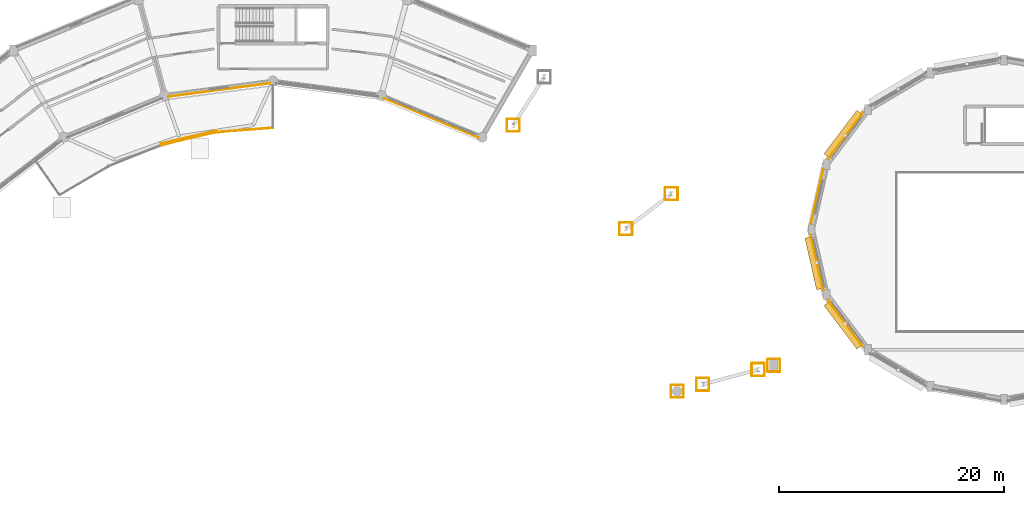
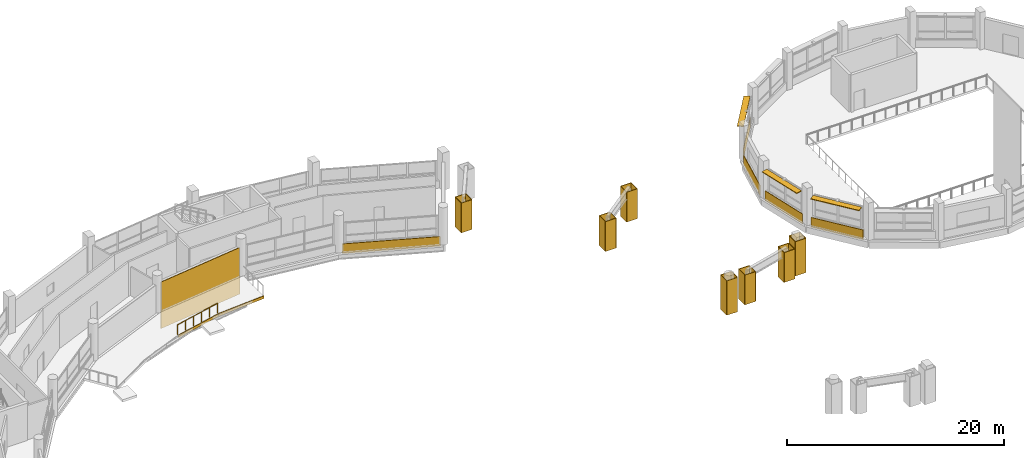
# One storey, part 125 of 128: 36 coverings, 3 shading devices, 1 railing.
"""IFC4 building model written with IfcOpenShell, lengths in metres."""

from ifc_helpers import new_model, si_unit, direction, frame, frame_2d, origin, origin_2d, place, context, subcontext, project, spatial, rectangle, circle, extrude, material, layer, layer_set, type_object, element, save


model = new_model("IFC4")

# Units and contexts
model_context = context("Model", 3, precision=1e-05, world=origin(), true_north=direction((0.0, 1.0)))
body_context = subcontext(model_context, "Body", "Model", "MODEL_VIEW")
ifc_project = project(units=[si_unit("LENGTHUNIT", "METRE"), si_unit("AREAUNIT", "SQUARE_METRE"), si_unit("VOLUMEUNIT", "CUBIC_METRE"), si_unit("PLANEANGLEUNIT", "RADIAN"), si_unit("MASSUNIT", "GRAM", prefix="KILO")], contexts=[model_context])

# Site, building, storey
site_placement = place(None, origin())
site = spatial("IfcSite", under=ifc_project, at=site_placement, CompositionType="ELEMENT")
building_placement = place(site_placement, origin())
building = spatial("IfcBuilding", under=site, at=building_placement, Name="Vespera Passage Community Centre", CompositionType="ELEMENT")
storey_placement = place(building_placement, frame((0.0, 0.0, 4.5)))
storey = spatial("IfcBuildingStorey", under=building, at=storey_placement, Name="L01", CompositionType="ELEMENT", Elevation=4.5)

# Coverings
ifc_material_1 = material(Name="Precast concrete f'c 40 MPa", Category="concrete")
ifc_layer = layer(ifc_material_1, 0.06005859375)
ifc_layer_set = layer_set([ifc_layer], Name="Precast concrete f'c 40 MPa")
covering_type = type_object("IfcCoveringType", Name="COV-CLAD-60E", PredefinedType="CLADDING", material=ifc_layer_set)
covering_1_placement = place(storey_placement, frame((121.96923828125, 76.87158203125, 0.0), z_axis=(0.0, 0.0, 1.0), x_axis=(1.0, 0.0, 0.0)))
element("IfcCovering", 1, at=covering_1_placement, inside=storey, type_object=covering_type, Name="Pylon 1.0 O L01 White Architectural Casing 1", PredefinedType="CLADDING", context=body_context, shape_type="SweptSolid", body=[
    extrude(rectangle(XDim=1.119873046875, YDim=0.06005859375, at=frame_2d((0.56005859375, 0.0))), origin(), (0.0, 0.0, 1.0), 3.860107421875),
])
covering_2_placement = place(storey_placement, frame((123.089111328125, 76.87158203125, 0.0), z_axis=(0.0, 0.0, 1.0), x_axis=(0.0, 1.0, 0.0)))
element("IfcCovering", 2, at=covering_2_placement, inside=storey, type_object=covering_type, Name="Pylon 1.0 O L01 White Architectural Casing 2", PredefinedType="CLADDING", context=body_context, shape_type="SweptSolid", body=[
    extrude(rectangle(XDim=1.1201171875, YDim=0.06005859375, at=frame_2d((0.56005859375, 0.0))), origin(), (0.0, 0.0, 1.0), 3.860107421875),
])
covering_3_placement = place(storey_placement, frame((123.089111328125, 77.99169921875, 0.0), z_axis=(0.0, 0.0, 1.0), x_axis=(-1.0, 0.0, 0.0)))
element("IfcCovering", 3, at=covering_3_placement, inside=storey, type_object=covering_type, Name="Pylon 1.0 O L01 White Architectural Casing 3", PredefinedType="CLADDING", context=body_context, shape_type="SweptSolid", body=[
    extrude(rectangle(XDim=1.119873046875, YDim=0.06005859375, at=frame_2d((0.56005859375, 0.0))), origin(), (0.0, 0.0, 1.0), 3.860107421875),
])
for number, where, z_axis, x_axis, name in (
    (4, (121.96923828125, 77.99169921875, 0.0), (0.0, 0.0, 1.0), (0.0, -1.0, 0.0), "Pylon 1.0 O L01 White Architectural Casing 4"),
    (5, (113.372314453125, 74.568115234375, 0.0), (0.0, 0.0, 1.0), (1.0, 0.0, 0.0), "Pylon 1.0 I L01 White Architectural Casing 1"),
):
    element("IfcCovering", number, at=place(storey_placement, frame(where, z_axis=z_axis, x_axis=x_axis)), inside=storey, type_object=covering_type, Name=name, PredefinedType="CLADDING", context=body_context, shape_type="SweptSolid", body=[
        extrude(rectangle(XDim=1.1201171875, YDim=0.06005859375, at=frame_2d((0.56005859375, 0.0))), origin(), (0.0, 0.0, 1.0), 3.860107421875),
    ])
covering_4_placement = place(storey_placement, frame((114.492431640625, 74.568115234375, 0.0), z_axis=(0.0, 0.0, 1.0), x_axis=(0.0, 1.0, 0.0)))
element("IfcCovering", 6, at=covering_4_placement, inside=storey, type_object=covering_type, Name="Pylon 1.0 I L01 White Architectural Casing 2", PredefinedType="CLADDING", context=body_context, shape_type="SweptSolid", body=[
    extrude(rectangle(XDim=1.119873046875, YDim=0.06005859375, at=frame_2d((0.56005859375, 0.0))), origin(), (0.0, 0.0, 1.0), 3.860107421875),
])
covering_5_placement = place(storey_placement, frame((114.492431640625, 75.68798828125, 0.0), z_axis=(0.0, 0.0, 1.0), x_axis=(-1.0, 0.0, 0.0)))
element("IfcCovering", 7, at=covering_5_placement, inside=storey, type_object=covering_type, Name="Pylon 1.0 I L01 White Architectural Casing 3", PredefinedType="CLADDING", context=body_context, shape_type="SweptSolid", body=[
    extrude(rectangle(XDim=1.1201171875, YDim=0.06005859375, at=frame_2d((0.56005859375, 0.0))), origin(), (0.0, 0.0, 1.0), 3.860107421875),
])
covering_6_placement = place(storey_placement, frame((113.372314453125, 75.68798828125, 0.0), z_axis=(0.0, 0.0, 1.0), x_axis=(0.0, -1.0, 0.0)))
element("IfcCovering", 8, at=covering_6_placement, inside=storey, type_object=covering_type, Name="Pylon 1.0 I L01 White Architectural Casing 4", PredefinedType="CLADDING", context=body_context, shape_type="SweptSolid", body=[
    extrude(rectangle(XDim=1.119873046875, YDim=0.06005859375, at=frame_2d((0.56005859375, 0.0))), origin(), (0.0, 0.0, 1.0), 3.860107421875),
])
covering_7_placement = place(storey_placement, frame((120.568603515625, 76.496337890625, 0.0), z_axis=(0.0, 0.0, 1.0), x_axis=(1.0, 0.0, 0.0)))
element("IfcCovering", 9, at=covering_7_placement, inside=storey, type_object=covering_type, Name="Pylon 1.0 TO L01 White Architectural Casing 1", PredefinedType="CLADDING", context=body_context, shape_type="SweptSolid", body=[
    extrude(rectangle(XDim=1.1201171875, YDim=0.06005859375, at=frame_2d((0.56005859375, 0.0))), origin(), (0.0, 0.0, 1.0), 3.35009765625),
])
covering_8_placement = place(storey_placement, frame((121.688720703125, 76.496337890625, 0.0), z_axis=(0.0, 0.0, 1.0), x_axis=(0.0, 1.0, 0.0)))
element("IfcCovering", 10, at=covering_8_placement, inside=storey, type_object=covering_type, Name="Pylon 1.0 TO L01 White Architectural Casing 2", PredefinedType="CLADDING", context=body_context, shape_type="SweptSolid", body=[
    extrude(rectangle(XDim=1.119873046875, YDim=0.06005859375, at=frame_2d((0.56005859375, 0.0))), origin(), (0.0, 0.0, 1.0), 3.35009765625),
])
covering_9_placement = place(storey_placement, frame((121.688720703125, 77.6162109375, 0.0), z_axis=(0.0, 0.0, 1.0), x_axis=(-1.0, 0.0, 0.0)))
element("IfcCovering", 11, at=covering_9_placement, inside=storey, type_object=covering_type, Name="Pylon 1.0 TO L01 White Architectural Casing 3", PredefinedType="CLADDING", context=body_context, shape_type="SweptSolid", body=[
    extrude(rectangle(XDim=1.1201171875, YDim=0.06005859375, at=frame_2d((0.56005859375, 0.0))), origin(), (0.0, 0.0, 1.0), 3.35009765625),
])
covering_10_placement = place(storey_placement, frame((120.568603515625, 77.6162109375, 0.0), z_axis=(0.0, 0.0, 1.0), x_axis=(0.0, -1.0, 0.0)))
element("IfcCovering", 12, at=covering_10_placement, inside=storey, type_object=covering_type, Name="Pylon 1.0 TO L01 White Architectural Casing 4", PredefinedType="CLADDING", context=body_context, shape_type="SweptSolid", body=[
    extrude(rectangle(XDim=1.119873046875, YDim=0.06005859375, at=frame_2d((0.56005859375, 0.0))), origin(), (0.0, 0.0, 1.0), 3.35009765625),
])
for number, where, z_axis, x_axis, name in (
    (13, (115.642333984375, 75.17626953125, 0.0), (0.0, 0.0, 1.0), (1.0, 0.0, 0.0), "Pylon 1.0 TI L01 White Architectural Casing 1"),
    (14, (116.762451171875, 75.17626953125, 0.0), (0.0, 0.0, 1.0), (0.0, 1.0, 0.0), "Pylon 1.0 TI L01 White Architectural Casing 2"),
    (15, (116.762451171875, 76.29638671875, 0.0), (0.0, 0.0, 1.0), (-1.0, 0.0, 0.0), "Pylon 1.0 TI L01 White Architectural Casing 3"),
    (16, (115.642333984375, 76.29638671875, 0.0), (0.0, 0.0, 1.0), (0.0, -1.0, 0.0), "Pylon 1.0 TI L01 White Architectural Casing 4"),
):
    element("IfcCovering", number, at=place(storey_placement, frame(where, z_axis=z_axis, x_axis=x_axis)), inside=storey, type_object=covering_type, Name=name, PredefinedType="CLADDING", context=body_context, shape_type="SweptSolid", body=[
        extrude(rectangle(XDim=1.1201171875, YDim=0.06005859375, at=frame_2d((0.56005859375, 0.0))), origin(), (0.0, 0.0, 1.0), 3.35009765625),
    ])
covering_11_placement = place(storey_placement, frame((112.86328125, 92.12109375, 0.0), z_axis=(0.0, 0.0, 1.0), x_axis=(1.0, 0.0, 0.0)))
element("IfcCovering", 17, at=covering_11_placement, inside=storey, type_object=covering_type, Name="Pylon 2.5 TO L01 White Architectural Casing 1", PredefinedType="CLADDING", context=body_context, shape_type="SweptSolid", body=[
    extrude(rectangle(XDim=1.119873046875, YDim=0.06005859375, at=frame_2d((0.56005859375, 0.0))), origin(), (0.0, 0.0, 1.0), 3.35009765625),
])
covering_12_placement = place(storey_placement, frame((113.983154296875, 92.12109375, 0.0), z_axis=(0.0, 0.0, 1.0), x_axis=(0.0, 1.0, 0.0)))
element("IfcCovering", 18, at=covering_12_placement, inside=storey, type_object=covering_type, Name="Pylon 2.5 TO L01 White Architectural Casing 2", PredefinedType="CLADDING", context=body_context, shape_type="SweptSolid", body=[
    extrude(rectangle(XDim=1.1201171875, YDim=0.06005859375, at=frame_2d((0.56005859375, 0.0))), origin(), (0.0, 0.0, 1.0), 3.35009765625),
])
covering_13_placement = place(storey_placement, frame((113.983154296875, 93.2412109375, 0.0), z_axis=(0.0, 0.0, 1.0), x_axis=(-1.0, 0.0, 0.0)))
element("IfcCovering", 19, at=covering_13_placement, inside=storey, type_object=covering_type, Name="Pylon 2.5 TO L01 White Architectural Casing 3", PredefinedType="CLADDING", context=body_context, shape_type="SweptSolid", body=[
    extrude(rectangle(XDim=1.119873046875, YDim=0.06005859375, at=frame_2d((0.56005859375, 0.0))), origin(), (0.0, 0.0, 1.0), 3.35009765625),
])
covering_14_placement = place(storey_placement, frame((112.86328125, 93.2412109375, 0.0), z_axis=(0.0, 0.0, 1.0), x_axis=(0.0, -1.0, 0.0)))
element("IfcCovering", 20, at=covering_14_placement, inside=storey, type_object=covering_type, Name="Pylon 2.5 TO L01 White Architectural Casing 4", PredefinedType="CLADDING", context=body_context, shape_type="SweptSolid", body=[
    extrude(rectangle(XDim=1.1201171875, YDim=0.06005859375, at=frame_2d((0.56005859375, 0.0))), origin(), (0.0, 0.0, 1.0), 3.35009765625),
])
for number, where, z_axis, x_axis, name in (
    (21, (108.817138671875, 89.0166015625, 0.0), (0.0, 0.0, 1.0), (1.0, 0.0, 0.0), "Pylon 2.5 TI L01 White Architectural Casing 1"),
    (22, (109.93701171875, 89.0166015625, 0.0), (0.0, 0.0, 1.0), (0.0, 1.0, 0.0), "Pylon 2.5 TI L01 White Architectural Casing 2"),
    (23, (109.93701171875, 90.136474609375, 0.0), (0.0, 0.0, 1.0), (-1.0, 0.0, 0.0), "Pylon 2.5 TI L01 White Architectural Casing 3"),
    (24, (108.817138671875, 90.136474609375, 0.0), (0.0, 0.0, 1.0), (0.0, -1.0, 0.0), "Pylon 2.5 TI L01 White Architectural Casing 4"),
):
    element("IfcCovering", number, at=place(storey_placement, frame(where, z_axis=z_axis, x_axis=x_axis)), inside=storey, type_object=covering_type, Name=name, PredefinedType="CLADDING", context=body_context, shape_type="SweptSolid", body=[
        extrude(rectangle(XDim=1.119873046875, YDim=0.06005859375, at=frame_2d((0.56005859375, 0.0))), origin(), (0.0, 0.0, 1.0), 3.35009765625),
    ])
for number, where, z_axis, x_axis, name in (
    (25, (98.806396484375, 98.2216796875, 0.0), (0.0, 0.0, 1.0), (1.0, 0.0, 0.0), "Pylon 3.82 TI L01 White Architectural Casing 1"),
    (26, (99.926513671875, 98.2216796875, 0.0), (0.0, 0.0, 1.0), (0.0, 1.0, 0.0), "Pylon 3.82 TI L01 White Architectural Casing 2"),
    (27, (99.926513671875, 99.341796875, 0.0), (0.0, 0.0, 1.0), (-1.0, 0.0, 0.0), "Pylon 3.82 TI L01 White Architectural Casing 3"),
    (28, (98.806396484375, 99.341796875, 0.0), (0.0, 0.0, 1.0), (0.0, -1.0, 0.0), "Pylon 3.82 TI L01 White Architectural Casing 4"),
):
    element("IfcCovering", number, at=place(storey_placement, frame(where, z_axis=z_axis, x_axis=x_axis)), inside=storey, type_object=covering_type, Name=name, PredefinedType="CLADDING", context=body_context, shape_type="SweptSolid", body=[
        extrude(rectangle(XDim=1.1201171875, YDim=0.06005859375, at=frame_2d((0.56005859375, 0.0))), origin(), (0.0, 0.0, 1.0), 3.35009765625),
    ])
covering_15_placement = place(storey_placement, frame((96.263916015625, 97.6875, -0.280029296875), z_axis=(0.0, 0.0, 1.0), x_axis=(-0.92387477551, 0.38269491658, 0.0)))
element("IfcCovering", 29, at=covering_15_placement, inside=storey, type_object=covering_type, Name="V4 L01 Inner Court White Spandrel Band I4", PredefinedType="CLADDING", context=body_context, shape_type="SweptSolid", body=[
    extrude(rectangle(XDim=9.11181640625, YDim=0.06005859375, at=frame_2d((4.555908203125, 0.0))), origin(), (0.0, 0.0, 1.0), 1.10009765625),
])
covering_16_placement = place(storey_placement, frame((77.7451171875, 102.510009765625, -2.080078125), z_axis=(0.0, 0.0, 1.0), x_axis=(-0.99144567161, -0.13052003772, 0.0)))
element("IfcCovering", 30, at=covering_16_placement, inside=storey, type_object=covering_type, Name="V4 L01 Court Terrace White Band I6", PredefinedType="CLADDING", context=body_context, shape_type="SweptSolid", body=[
    extrude(rectangle(XDim=9.15625, YDim=0.06005859375, at=frame_2d((4.578125, 0.0))), origin(), (0.0, 0.0, 1.0), 5.2294921875),
])
covering_17_placement = place(storey_placement, frame((127.335205078125, 95.76953125, -0.260009765625), z_axis=(0.0, 0.0, 1.0), x_axis=(0.603398282319, 0.797439974477, 0.0)))
element("IfcCovering", 31, at=covering_17_placement, inside=storey, type_object=covering_type, Name="V2 L01 White Spandrel Band 7", PredefinedType="CLADDING", context=body_context, shape_type="SweptSolid", body=[
    extrude(rectangle(XDim=5.19873046875, YDim=0.06005859375, at=frame_2d((2.599365234375, 0.0))), origin(), (0.0, 0.0, 1.0), 1.110107421875),
])
for number, where, z_axis, x_axis, name in (
    (32, (125.810546875, 89.96728515625, -0.260009765625), (0.0, 0.0, 1.0), (0.219734171438, 0.975559784894, 0.0), "V2 L01 White Sill Band 8"),
    (33, (126.92041015625, 84.105224609375, -0.260009765625), (0.0, 0.0, 1.0), (-0.219734171438, 0.975559784894, 0.0), "V2 L01 White Spandrel Band 9"),
):
    element("IfcCovering", number, at=place(storey_placement, frame(where, z_axis=z_axis, x_axis=x_axis)), inside=storey, type_object=covering_type, Name=name, PredefinedType="CLADDING", context=body_context, shape_type="SweptSolid", body=[
        extrude(rectangle(XDim=5.051025390625, YDim=0.06005859375, at=frame_2d((2.525390625, 0.0))), origin(), (0.0, 0.0, 1.0), 1.110107421875),
    ])
covering_18_placement = place(storey_placement, frame((130.47216796875, 79.084716796875, -0.260009765625), z_axis=(0.0, 0.0, 1.0), x_axis=(-0.603398282319, 0.797439974477, 0.0)))
element("IfcCovering", 34, at=covering_18_placement, inside=storey, type_object=covering_type, Name="V2 L01 White Spandrel Band 10", PredefinedType="CLADDING", context=body_context, shape_type="SweptSolid", body=[
    extrude(rectangle(XDim=5.19873046875, YDim=0.06005859375, at=frame_2d((2.599365234375, 0.0))), origin(), (0.0, 0.0, 1.0), 1.110107421875),
])
for number, where, z_axis, x_axis, name in (
    (35, (78.010009765625, 98.55029296875, -0.280029296875), (0.0, 0.0, 1.0), (-0.997088993803, -0.076246563444, 0.0), "Courtyard Gallery Terrace White Fascia 1"),
    (36, (72.98193359375, 98.167236328125, -0.280029296875), (0.0, 0.0, 1.0), (-0.973870016804, -0.227106121385, 0.0), "Courtyard Gallery Terrace White Fascia 2"),
):
    element("IfcCovering", number, at=place(storey_placement, frame(where, z_axis=z_axis, x_axis=x_axis)), inside=storey, type_object=covering_type, Name=name, PredefinedType="CLADDING", context=body_context, shape_type="SweptSolid", body=[
        extrude(rectangle(XDim=5.062255859375, YDim=0.06005859375, at=frame_2d((2.53125, 0.0))), origin(), (0.0, 0.0, 1.0), 0.300048828125),
    ])

# Railing
ifc_material_2 = material(Name="Steel ASTM A500 Grade C", Category="steel")
railing_type = type_object("IfcRailingType", Name="RL-EXT-1100E", PredefinedType="GUARDRAIL", material=ifc_material_2)
railing_placement = place(storey_placement, frame((72.952392578125, 98.293701171875, 0.0)))
element("IfcRailing", 37, at=railing_placement, inside=storey, type_object=railing_type, Name="Courtyard Gallery Terrace Front Guard", PredefinedType="GUARDRAIL", context=body_context, shape_type="SweptSolid", body=[
    extrude(circle(Radius=0.02392578125, at=origin_2d()), frame((0.0, 0.0, 1.09619140625), z_axis=(-0.973878195874, -0.227071045274, 0.0), x_axis=(0.227071045274, -0.973878195874, 0.0)), (0.0, 0.0, 1.0), 5.06201171875),
    extrude(circle(Radius=0.02099609375, at=origin_2d()), origin(), (0.0, 0.0, 1.0), 1.072021484375),
    extrude(circle(Radius=0.02099609375, at=origin_2d()), frame((-0.98583984375, -0.22998046875, 0.0)), (0.0, 0.0, 1.0), 1.072021484375),
    extrude(circle(Radius=0.02099609375, at=origin_2d()), frame((-1.971923828125, -0.459716796875, 0.0)), (0.0, 0.0, 1.0), 1.072021484375),
    extrude(circle(Radius=0.02099609375, at=origin_2d()), frame((-2.957763671875, -0.689697265625, 0.0)), (0.0, 0.0, 1.0), 1.072021484375),
    extrude(circle(Radius=0.02099609375, at=origin_2d()), frame((-3.94384765625, -0.91943359375, 0.0)), (0.0, 0.0, 1.0), 1.072021484375),
    extrude(circle(Radius=0.02099609375, at=origin_2d()), frame((-4.9296875, -1.1494140625, 0.0)), (0.0, 0.0, 1.0), 1.072021484375),
])

# Shading devices
ifc_material_3 = material(Name="Anodized aluminium 6063-T6", Category="aluminium")
shading_device_type = type_object("IfcShadingDeviceType", Name="SHD-EYEBROW", PredefinedType="JALOUSIE", material=ifc_material_3)
shading_device_1_placement = place(storey_placement, frame((128.688232421875, 98.005615234375, 3.27490234375), z_axis=(0.0, 0.0, 1.0), x_axis=(0.603402856255, 0.7974365135, 0.0)))
element("IfcShadingDevice", 38, at=shading_device_1_placement, inside=storey, type_object=shading_device_type, Name="V2 L01 Solar Eyebrow 7", PredefinedType="JALOUSIE", context=body_context, shape_type="SweptSolid", body=[
    extrude(rectangle(XDim=4.848876953125, YDim=0.60009765625, at=origin_2d()), origin(), (0.0, 0.0, 1.0), 0.080078125),
])
shading_device_2_placement = place(storey_placement, frame((126.10205078125, 86.509765625, 3.27490234375), z_axis=(0.0, 0.0, 1.0), x_axis=(-0.219744045409, 0.975557560838, 0.0)))
element("IfcShadingDevice", 39, at=shading_device_2_placement, inside=storey, type_object=shading_device_type, Name="V2 L01 Solar Eyebrow 9", PredefinedType="JALOUSIE", context=body_context, shape_type="SweptSolid", body=[
    extrude(rectangle(XDim=4.70068359375, YDim=0.60009765625, at=origin_2d()), origin(), (0.0, 0.0, 1.0), 0.080078125),
])
shading_device_3_placement = place(storey_placement, frame((128.688232421875, 80.994384765625, 3.27490234375), z_axis=(0.0, 0.0, 1.0), x_axis=(-0.603402856255, 0.7974365135, 0.0)))
element("IfcShadingDevice", 40, at=shading_device_3_placement, inside=storey, type_object=shading_device_type, Name="V2 L01 Solar Eyebrow 10", PredefinedType="JALOUSIE", context=body_context, shape_type="SweptSolid", body=[
    extrude(rectangle(XDim=4.848876953125, YDim=0.60009765625, at=origin_2d()), origin(), (0.0, 0.0, 1.0), 0.080078125),
])

save(model, "model.ifc")
